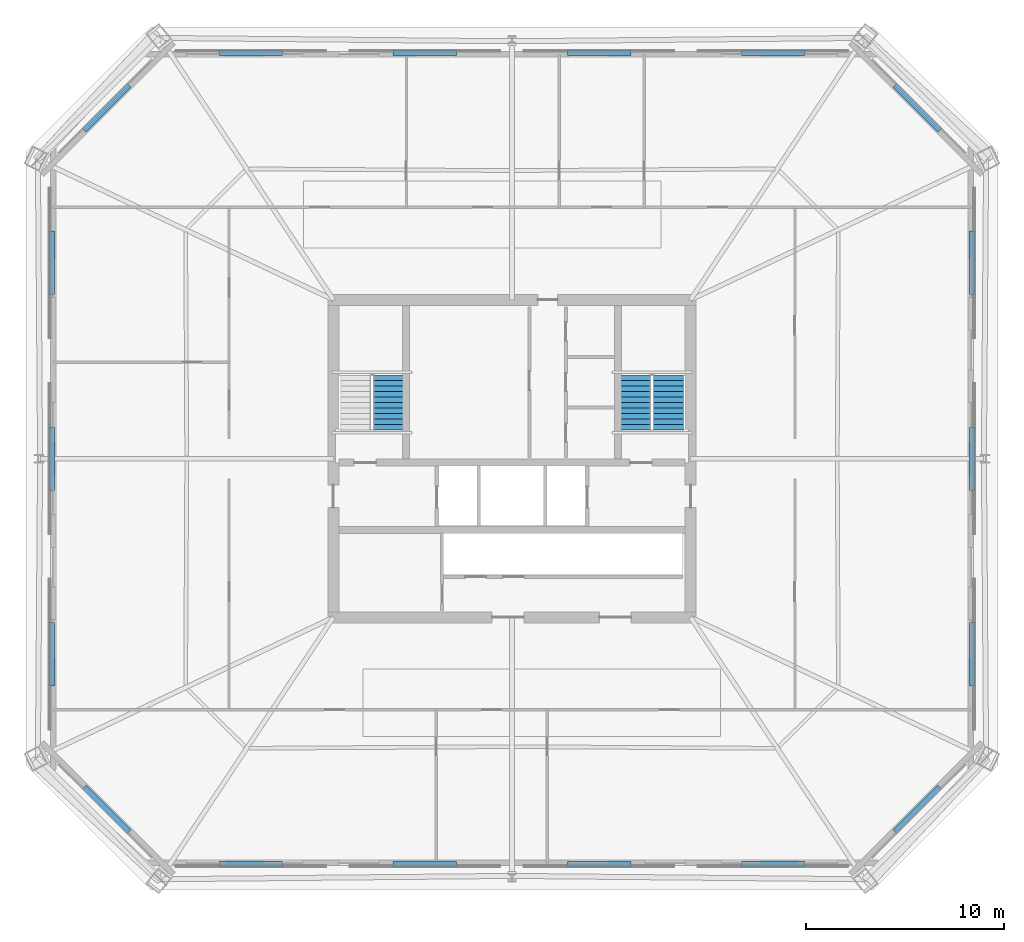
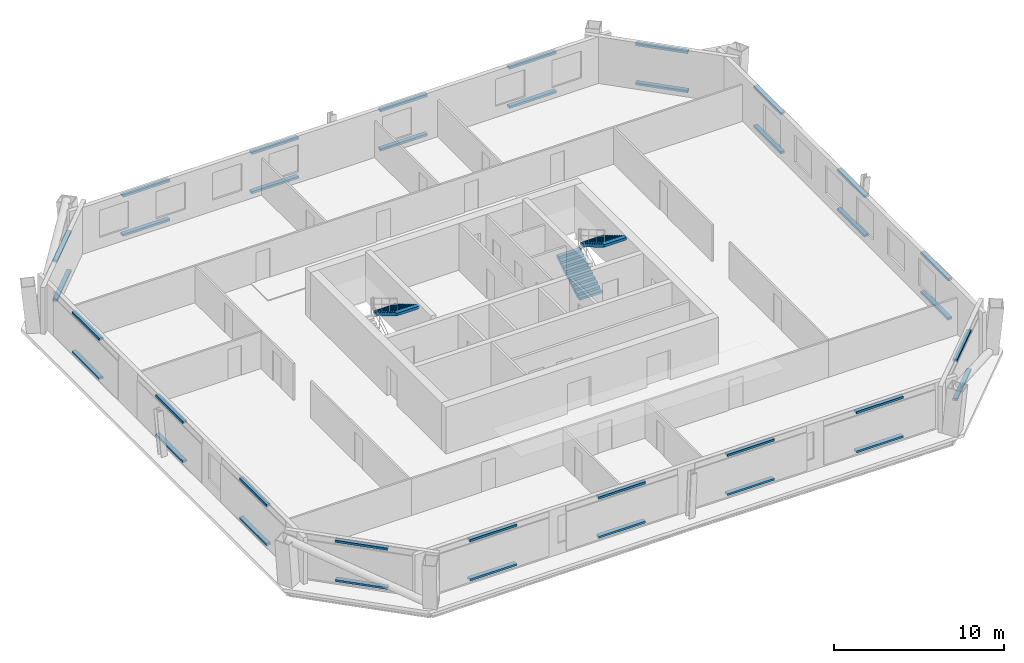
# One storey, part 5 of 7: 36 discrete accessories, 3 stair flights, 2 elements without a shape of their own.
"""IFC4 building model written with IfcOpenShell, lengths in metres."""

from ifc_helpers import new_model, si_unit, direction, frame, origin, origin_2d, place, context, subcontext, project, spatial, polyline, rectangle, outline, extrude, material, type_object, element, aggregate, save


model = new_model("IFC4")

# Units and contexts
model_context = context("Model", 3, precision=1e-05, world=origin(), true_north=direction((0.0, 1.0)))
body_context = subcontext(model_context, "Body", "Model", "MODEL_VIEW")
ifc_project = project(units=[si_unit("LENGTHUNIT", "METRE"), si_unit("AREAUNIT", "SQUARE_METRE"), si_unit("VOLUMEUNIT", "CUBIC_METRE"), si_unit("PLANEANGLEUNIT", "RADIAN"), si_unit("MASSUNIT", "GRAM", prefix="KILO")], contexts=[model_context])

# Site, building, storey
site_placement = place(None, origin())
site = spatial("IfcSite", under=ifc_project, at=site_placement, CompositionType="ELEMENT")
building_placement = place(site_placement, origin())
building = spatial("IfcBuilding", under=site, at=building_placement, Name="Caelvoria Tower", CompositionType="ELEMENT")
storey_placement = place(building_placement, frame((0.0, 0.0, 156.39990234375)))
storey = spatial("IfcBuildingStorey", under=building, at=storey_placement, Name="L41", CompositionType="ELEMENT", Elevation=156.39990234375)

# Stair, stair flight
ifc_material_1 = material(Name="Concrete C40/50", Category="concrete")
stair_type = type_object("IfcStairType", Name="Core Smokeproof Dogleg Stair Concrete C40/50", PredefinedType="HALF_TURN_STAIR", material=ifc_material_1)
stair_1_placement = place(storey_placement, origin())
stair_1 = element("IfcStair", 1, at=stair_1_placement, inside=storey, type_object=stair_type, Name="ST-01 Smokeproof Exit Stair L41", PredefinedType="HALF_TURN_STAIR")
ifc_material_2 = material(Name="Precast Concrete C40/50", Category="concrete")
stair_flight_type = type_object("IfcStairFlightType", Name="Precast Concrete C40/50 Stair Flight 1480", PredefinedType="STRAIGHT", material=ifc_material_2)
stair_flight_1_placement = place(storey_placement, frame((39.77001953125, 36.199951171875, 1.800048828125), z_axis=(0.0, 0.0, 1.0), x_axis=(0.0, -1.0, 0.0)))
stair_flight_1 = element("IfcStairFlight", 2, at=stair_flight_1_placement, type_object=stair_flight_type, Name="ST-01 flight 2", NumberOfRisers=11, NumberOfTreads=10, PredefinedType="STRAIGHT", RiserHeight=0.1636, TreadLength=0.275, context=body_context, shape_type="SweptSolid", body=[
    extrude(outline(polyline([(0.0, 0.0), (0.0, 0.16357421875), (0.27490234375, 0.16357421875), (0.27490234375, 0.3271484375), (0.550048828125, 0.3271484375), (0.550048828125, 0.49072265625), (0.824951171875, 0.49072265625), (0.824951171875, 0.654296875), (1.10009765625, 0.654296875), (1.10009765625, 0.818115234375), (1.375, 0.818115234375), (1.375, 0.981689453125), (1.64990234375, 0.981689453125), (1.64990234375, 1.145263671875), (1.925048828125, 1.145263671875), (1.925048828125, 1.308837890625), (2.199951171875, 1.308837890625), (2.199951171875, 1.472412109375), (2.47509765625, 1.472412109375), (2.47509765625, 1.635986328125), (2.75, 1.635986328125), (2.75, 1.799560546875), (2.75, 1.449951171875), (0.312744140625, 0.0), (0.0, 0.0)])), frame((0.0, 0.77001953125, 0.0), z_axis=(0.0, -1.0, 0.0), x_axis=(1.0, 0.0, 0.0)), (0.0, 0.0, 1.0), 1.5400390625),
])
aggregate(stair_1, [stair_flight_1])

# Stair, stair flights
stair_2_placement = place(storey_placement, origin())
stair_2 = element("IfcStair", 3, at=stair_2_placement, inside=storey, type_object=stair_type, Name="ST-02 Smokeproof Exit Stair L41", PredefinedType="HALF_TURN_STAIR")
stair_flight_2_placement = place(storey_placement, frame((52.22998046875, 33.449951171875, 0.0), z_axis=(0.0, 0.0, 1.0), x_axis=(0.0, 1.0, 0.0)))
stair_flight_2 = element("IfcStairFlight", 4, at=stair_flight_2_placement, type_object=stair_flight_type, Name="ST-02 flight 1", NumberOfRisers=11, NumberOfTreads=10, PredefinedType="STRAIGHT", RiserHeight=0.1636, TreadLength=0.275, context=body_context, shape_type="SweptSolid", body=[
    extrude(outline(polyline([(0.0, 0.0), (0.0, 0.16357421875), (0.27490234375, 0.16357421875), (0.27490234375, 0.3271484375), (0.550048828125, 0.3271484375), (0.550048828125, 0.49072265625), (0.824951171875, 0.49072265625), (0.824951171875, 0.654296875), (1.10009765625, 0.654296875), (1.10009765625, 0.818115234375), (1.375, 0.818115234375), (1.375, 0.981689453125), (1.64990234375, 0.981689453125), (1.64990234375, 1.145263671875), (1.925048828125, 1.145263671875), (1.925048828125, 1.308837890625), (2.199951171875, 1.308837890625), (2.199951171875, 1.472412109375), (2.47509765625, 1.472412109375), (2.47509765625, 1.635986328125), (2.75, 1.635986328125), (2.75, 1.799560546875), (2.75, 1.449951171875), (0.312744140625, 0.0), (0.0, 0.0)])), frame((0.0, 0.77001953125, 0.0), z_axis=(0.0, -1.0, 0.0), x_axis=(1.0, 0.0, 0.0)), (0.0, 0.0, 1.0), 1.5400390625),
])
stair_flight_3_placement = place(storey_placement, frame((53.8701171875, 36.199951171875, 1.800048828125), z_axis=(0.0, 0.0, 1.0), x_axis=(0.0, -1.0, 0.0)))
stair_flight_3 = element("IfcStairFlight", 5, at=stair_flight_3_placement, type_object=stair_flight_type, Name="ST-02 flight 2", NumberOfRisers=11, NumberOfTreads=10, PredefinedType="STRAIGHT", RiserHeight=0.1636, TreadLength=0.275, context=body_context, shape_type="SweptSolid", body=[
    extrude(outline(polyline([(0.0, 0.0), (0.0, 0.16357421875), (0.27490234375, 0.16357421875), (0.27490234375, 0.3271484375), (0.550048828125, 0.3271484375), (0.550048828125, 0.49072265625), (0.824951171875, 0.49072265625), (0.824951171875, 0.654296875), (1.10009765625, 0.654296875), (1.10009765625, 0.818115234375), (1.375, 0.818115234375), (1.375, 0.981689453125), (1.64990234375, 0.981689453125), (1.64990234375, 1.145263671875), (1.925048828125, 1.145263671875), (1.925048828125, 1.308837890625), (2.199951171875, 1.308837890625), (2.199951171875, 1.472412109375), (2.47509765625, 1.472412109375), (2.47509765625, 1.635986328125), (2.75, 1.635986328125), (2.75, 1.799560546875), (2.75, 1.449951171875), (0.312744140625, 0.0), (0.0, 0.0)])), frame((0.0, 0.77001953125, 0.0), z_axis=(0.0, -1.0, 0.0), x_axis=(1.0, 0.0, 0.0)), (0.0, 0.0, 1.0), 1.5400390625),
])
aggregate(stair_2, [stair_flight_2, stair_flight_3])

# Discrete accessories
ifc_material_3 = material(Name="Anodised Bronze Stainless Bracket", Category="bronze")
discrete_accessory_type = type_object("IfcDiscreteAccessoryType", Name="Solar Screen Outrigger Support Bracket", PredefinedType="BRACKET", material=ifc_material_3)
for number, where, z_axis, x_axis, name in (
    (6, (32.844970703125, 11.552978515625, 0.240234375), (0.0, 0.0, 1.0), (1.0, 0.0, 0.0), "Solar Screen Bracket L41-E0-00"),
    (7, (32.844970703125, 11.552978515625, 3.06005859375), (0.0, 0.0, 1.0), (1.0, 0.0, 0.0), "Upper Screen Band Bracket L41-E0-00"),
    (8, (41.614990234375, 11.552978515625, 0.240234375), (0.0, 0.0, 1.0), (1.0, 0.0, 0.0), "Solar Screen Bracket L41-E0-01"),
    (9, (41.614990234375, 11.552978515625, 3.06005859375), (0.0, 0.0, 1.0), (1.0, 0.0, 0.0), "Upper Screen Band Bracket L41-E0-01"),
    (10, (50.385009765625, 11.552978515625, 0.240234375), (0.0, 0.0, 1.0), (1.0, 0.0, 0.0), "Solar Screen Bracket L41-E0-02"),
    (11, (50.385009765625, 11.552978515625, 3.06005859375), (0.0, 0.0, 1.0), (1.0, 0.0, 0.0), "Upper Screen Band Bracket L41-E0-02"),
    (12, (59.155029296875, 11.552978515625, 0.240234375), (0.0, 0.0, 1.0), (1.0, 0.0, 0.0), "Solar Screen Bracket L41-E0-03"),
    (13, (59.155029296875, 11.552978515625, 3.06005859375), (0.0, 0.0, 1.0), (1.0, 0.0, 0.0), "Upper Screen Band Bracket L41-E0-03"),
    (14, (66.4287109375, 14.3212890625, 0.240234375), (0.0, 0.0, 1.0), (0.707106781187, 0.707106781187, 0.0), "Solar Screen Bracket L41-E1-00"),
    (15, (66.4287109375, 14.3212890625, 3.06005859375), (0.0, 0.0, 1.0), (0.707106781187, 0.707106781187, 0.0), "Upper Screen Band Bracket L41-E1-00"),
    (16, (69.197021484375, 22.139892578125, 0.240234375), (0.0, 0.0, 1.0), (0.0, 1.0, 0.0), "Solar Screen Bracket L41-E2-00"),
    (17, (69.197021484375, 22.139892578125, 3.06005859375), (0.0, 0.0, 1.0), (0.0, 1.0, 0.0), "Upper Screen Band Bracket L41-E2-00"),
    (18, (69.197021484375, 32.0, 0.240234375), (0.0, 0.0, 1.0), (0.0, 1.0, 0.0), "Solar Screen Bracket L41-E2-01"),
    (19, (69.197021484375, 32.0, 3.06005859375), (0.0, 0.0, 1.0), (0.0, 1.0, 0.0), "Upper Screen Band Bracket L41-E2-01"),
    (20, (69.197021484375, 41.860107421875, 0.240234375), (0.0, 0.0, 1.0), (0.0, 1.0, 0.0), "Solar Screen Bracket L41-E2-02"),
    (21, (69.197021484375, 41.860107421875, 3.06005859375), (0.0, 0.0, 1.0), (0.0, 1.0, 0.0), "Upper Screen Band Bracket L41-E2-02"),
    (22, (66.4287109375, 49.6787109375, 0.240234375), (0.0, 0.0, 1.0), (-0.707106781187, 0.707106781187, 0.0), "Solar Screen Bracket L41-E3-00"),
    (23, (66.4287109375, 49.6787109375, 3.06005859375), (0.0, 0.0, 1.0), (-0.707106781187, 0.707106781187, 0.0), "Upper Screen Band Bracket L41-E3-00"),
    (24, (59.155029296875, 52.447021484375, 0.240234375), (0.0, 0.0, 1.0), (-1.0, 0.0, 0.0), "Solar Screen Bracket L41-E4-00"),
    (25, (59.155029296875, 52.447021484375, 3.06005859375), (0.0, 0.0, 1.0), (-1.0, 0.0, 0.0), "Upper Screen Band Bracket L41-E4-00"),
    (26, (50.385009765625, 52.447021484375, 0.240234375), (0.0, 0.0, 1.0), (-1.0, 0.0, 0.0), "Solar Screen Bracket L41-E4-01"),
    (27, (50.385009765625, 52.447021484375, 3.06005859375), (0.0, 0.0, 1.0), (-1.0, 0.0, 0.0), "Upper Screen Band Bracket L41-E4-01"),
    (28, (41.614990234375, 52.447021484375, 0.240234375), (0.0, 0.0, 1.0), (-1.0, 0.0, 0.0), "Solar Screen Bracket L41-E4-02"),
    (29, (41.614990234375, 52.447021484375, 3.06005859375), (0.0, 0.0, 1.0), (-1.0, 0.0, 0.0), "Upper Screen Band Bracket L41-E4-02"),
    (30, (32.844970703125, 52.447021484375, 0.240234375), (0.0, 0.0, 1.0), (-1.0, 0.0, 0.0), "Solar Screen Bracket L41-E4-03"),
    (31, (32.844970703125, 52.447021484375, 3.06005859375), (0.0, 0.0, 1.0), (-1.0, 0.0, 0.0), "Upper Screen Band Bracket L41-E4-03"),
    (32, (25.5712890625, 49.6787109375, 0.240234375), (0.0, 0.0, 1.0), (-0.707106781187, -0.707106781187, 0.0), "Solar Screen Bracket L41-E5-00"),
    (33, (25.5712890625, 49.6787109375, 3.06005859375), (0.0, 0.0, 1.0), (-0.707106781187, -0.707106781187, 0.0), "Upper Screen Band Bracket L41-E5-00"),
    (34, (22.802978515625, 41.860107421875, 0.240234375), (0.0, 0.0, 1.0), (0.0, -1.0, 0.0), "Solar Screen Bracket L41-E6-00"),
    (35, (22.802978515625, 41.860107421875, 3.06005859375), (0.0, 0.0, 1.0), (0.0, -1.0, 0.0), "Upper Screen Band Bracket L41-E6-00"),
    (36, (22.802978515625, 32.0, 0.240234375), (0.0, 0.0, 1.0), (0.0, -1.0, 0.0), "Solar Screen Bracket L41-E6-01"),
    (37, (22.802978515625, 32.0, 3.06005859375), (0.0, 0.0, 1.0), (0.0, -1.0, 0.0), "Upper Screen Band Bracket L41-E6-01"),
    (38, (22.802978515625, 22.139892578125, 0.240234375), (0.0, 0.0, 1.0), (0.0, -1.0, 0.0), "Solar Screen Bracket L41-E6-02"),
    (39, (22.802978515625, 22.139892578125, 3.06005859375), (0.0, 0.0, 1.0), (0.0, -1.0, 0.0), "Upper Screen Band Bracket L41-E6-02"),
    (40, (25.5712890625, 14.3212890625, 0.240234375), (0.0, 0.0, 1.0), (0.707106781187, -0.707106781187, 0.0), "Solar Screen Bracket L41-E7-00"),
    (41, (25.5712890625, 14.3212890625, 3.06005859375), (0.0, 0.0, 1.0), (0.707106781187, -0.707106781187, 0.0), "Upper Screen Band Bracket L41-E7-00"),
):
    element("IfcDiscreteAccessory", number, at=place(storey_placement, frame(where, z_axis=z_axis, x_axis=x_axis)), inside=storey, type_object=discrete_accessory_type, Name=name, PredefinedType="BRACKET", context=body_context, shape_type="SweptSolid", body=[
        extrude(rectangle(XDim=3.199951171875, YDim=0.280029296875, at=origin_2d()), origin(), (0.0, 0.0, 1.0), 0.159912109375),
    ])

save(model, "model.ifc")
